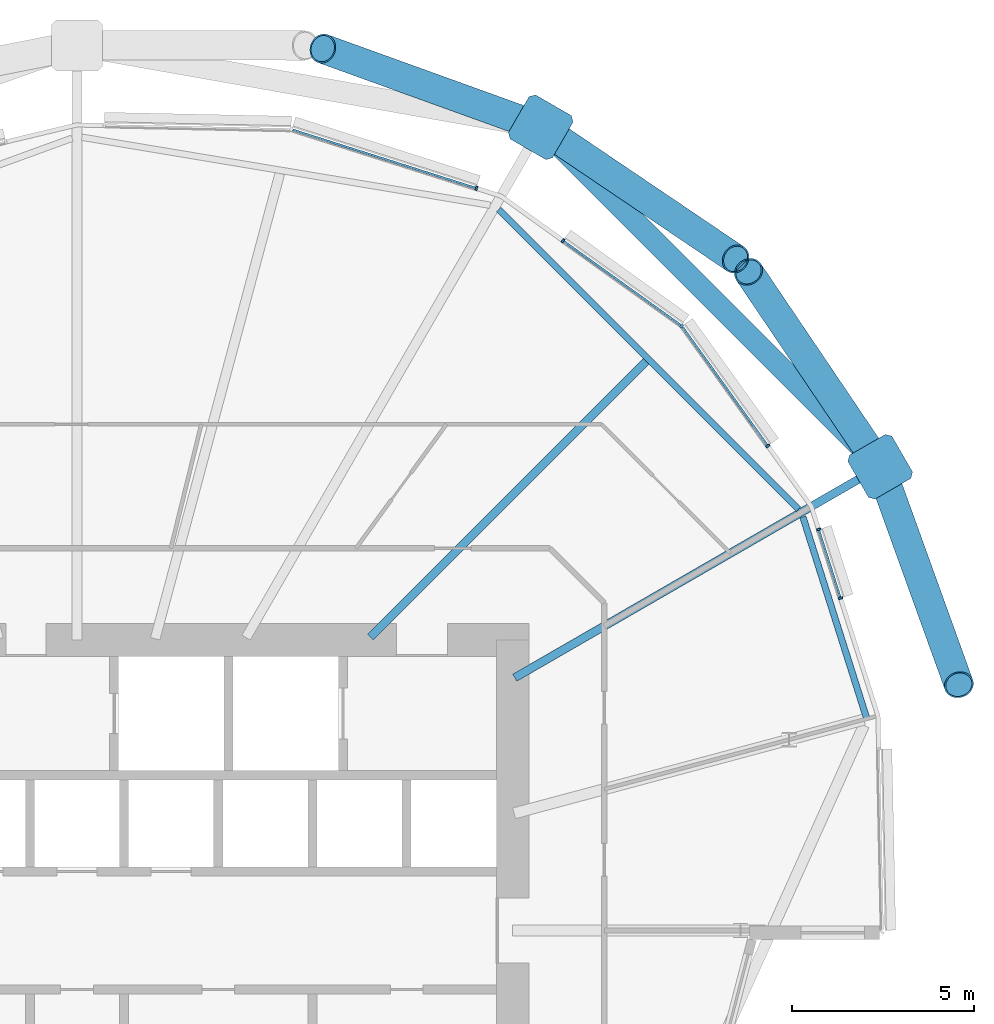
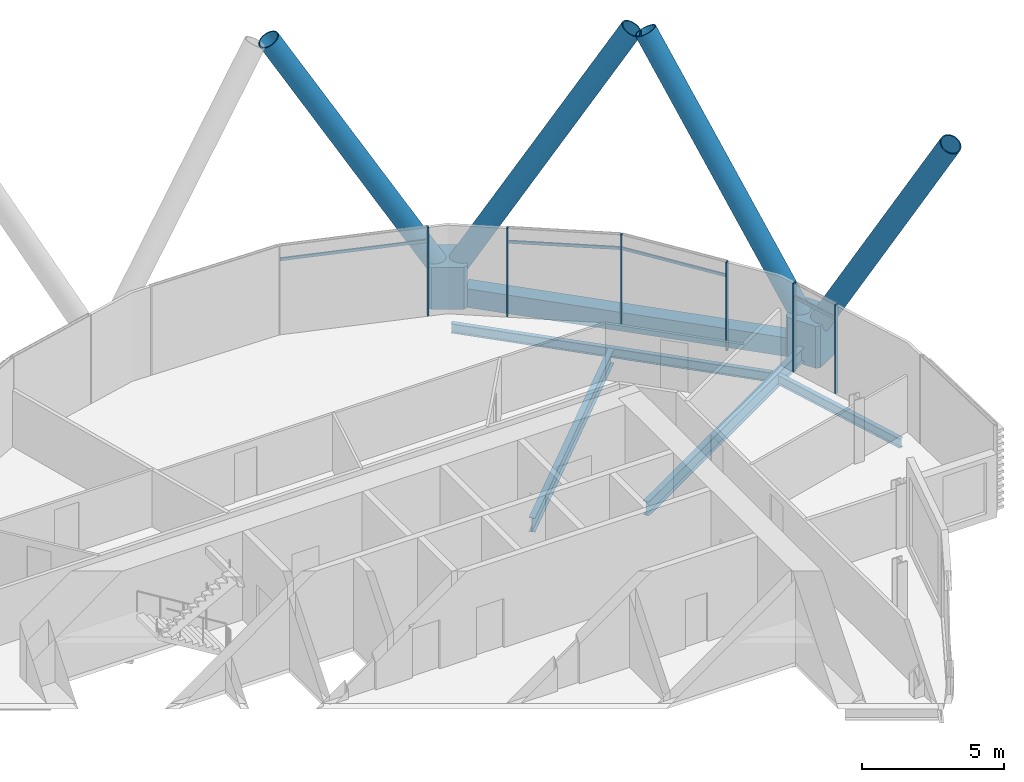
# One storey, part 18 of 36: 16 members, 5 beams, 1 element without a shape of its own.
"""IFC4 building model written with IfcOpenShell, lengths in metres."""

from ifc_helpers import new_model, si_unit, direction, frame, origin, origin_2d, place, context, subcontext, project, spatial, polyline, rectangle, hollow_rectangle, hollow_circle, i_section, outline, extrude, material, material_profile, profile_set, type_object, element, aggregate, save


model = new_model("IFC4")

# Units and contexts
model_context = context("Model", 3, precision=1e-05, world=origin(), true_north=direction((0.0, 1.0)))
body_context = subcontext(model_context, "Body", "Model", "MODEL_VIEW")
ifc_project = project(units=[si_unit("LENGTHUNIT", "METRE"), si_unit("AREAUNIT", "SQUARE_METRE"), si_unit("VOLUMEUNIT", "CUBIC_METRE"), si_unit("PLANEANGLEUNIT", "RADIAN"), si_unit("MASSUNIT", "GRAM", prefix="KILO")], contexts=[model_context])

# Site, building, storey
site_placement = place(None, origin())
site = spatial("IfcSite", under=ifc_project, at=site_placement, CompositionType="ELEMENT")
building_placement = place(site_placement, origin())
building = spatial("IfcBuilding", under=site, at=building_placement, Name="Rimbun Link Towers", CompositionType="ELEMENT")
storey_placement = place(building_placement, frame((0.0, 0.0, 64.199951171875)))
storey = spatial("IfcBuildingStorey", under=building, at=storey_placement, Name="L15", CompositionType="ELEMENT", Elevation=64.199951171875)

# Curtain wall, members
ifc_material_1 = material(Name="Aluminium 6063-T6 and low-iron glass", Category="aluminium")
curtain_wall_type = type_object("IfcCurtainWallType", Name="CW1 unitised vision wall", PredefinedType="NOTDEFINED", material=ifc_material_1)
curtain_wall_placement = place(storey_placement, origin())
curtain_wall = element("IfcCurtainWall", 1, at=curtain_wall_placement, inside=storey, type_object=curtain_wall_type, Name="CW1 L15 T2", PredefinedType="NOTDEFINED")
ifc_material_2 = material(Name="Aluminium 6063-T6", Category="aluminium")
ifc_material_profile_1 = material_profile(ifc_material_2, rectangle(XDim=0.1201171875, YDim=0.06005859375, at=origin_2d()), Name="MULLION 60X120")
ifc_profile_set_1 = profile_set([ifc_material_profile_1], Name="Aluminium 6063-T6")
member_type_1 = type_object("IfcMemberType", Name="CW1 mullion 60X120", PredefinedType="MULLION", material=ifc_profile_set_1)
member_1_placement = place(storey_placement, frame((45.139404296875, 19.0, 0.0), z_axis=(0.0, 0.0, 1.0), x_axis=(0.583001588402, 0.812471013588, 0.0)))
member_1 = element("IfcMember", 2, at=member_1_placement, type_object=member_type_1, Name="CW1 mullion", PredefinedType="MULLION", context=body_context, shape_type="SweptSolid", body=[
    extrude(rectangle(XDim=0.1201171875, YDim=0.06005859375, at=origin_2d()), origin(), (0.0, 0.0, 1.0), 3.800048828125),
])
member_2_placement = place(storey_placement, frame((48.405517578125, 16.655517578125, 0.0), z_axis=(0.0, 0.0, 1.0), x_axis=(0.707106781187, 0.707106781187, 0.0)))
member_2 = element("IfcMember", 3, at=member_2_placement, type_object=member_type_1, Name="CW1 mullion", PredefinedType="MULLION", context=body_context, shape_type="SweptSolid", body=[
    extrude(rectangle(XDim=0.1201171875, YDim=0.06005859375, at=origin_2d()), origin(), (0.0, 0.0, 1.0), 3.800048828125),
])
member_3_placement = place(storey_placement, frame((42.74951171875, 20.44482421875, 0.0), z_axis=(0.0, 0.0, 1.0), x_axis=(0.30306620433, 0.952969504125, 0.0)))
member_3 = element("IfcMember", 4, at=member_3_placement, type_object=member_type_1, Name="CW1 mullion", PredefinedType="MULLION", context=body_context, shape_type="SweptSolid", body=[
    extrude(rectangle(XDim=0.1201171875, YDim=0.06005859375, at=origin_2d()), origin(), (0.0, 0.0, 1.0), 3.800048828125),
])
member_4_placement = place(storey_placement, frame((52.1796875, 11.047119140625, 0.0), z_axis=(0.0, 0.0, 1.0), x_axis=(0.952969504125, 0.30306620433, 0.0)))
member_4 = element("IfcMember", 5, at=member_4_placement, type_object=member_type_1, Name="CW1 mullion", PredefinedType="MULLION", context=body_context, shape_type="SweptSolid", body=[
    extrude(rectangle(XDim=0.1201171875, YDim=0.06005859375, at=origin_2d()), origin(), (0.0, 0.0, 1.0), 3.800048828125),
])
member_5_placement = place(storey_placement, frame((52.781494140625, 9.154541015625, 0.0), z_axis=(0.0, 0.0, 1.0), x_axis=(0.952969504125, 0.30306620433, 0.0)))
member_5 = element("IfcMember", 6, at=member_5_placement, type_object=member_type_1, Name="CW1 mullion", PredefinedType="MULLION", context=body_context, shape_type="SweptSolid", body=[
    extrude(rectangle(XDim=0.1201171875, YDim=0.06005859375, at=origin_2d()), origin(), (0.0, 0.0, 1.0), 3.800048828125),
])
member_6_placement = place(storey_placement, frame((50.779052734375, 13.348876953125, 0.0), z_axis=(0.0, 0.0, 1.0), x_axis=(0.812471013588, 0.583001588402, 0.0)))
member_6 = element("IfcMember", 7, at=member_6_placement, type_object=member_type_1, Name="CW1 mullion", PredefinedType="MULLION", context=body_context, shape_type="SweptSolid", body=[
    extrude(rectangle(XDim=0.1201171875, YDim=0.06005859375, at=origin_2d()), origin(), (0.0, 0.0, 1.0), 3.800048828125),
])
ifc_material_3 = material(Name="Aluminium 6063-T6", Category="aluminium")
ifc_material_profile_2 = material_profile(ifc_material_3, rectangle(XDim=0.06005859375, YDim=0.1201171875, at=origin_2d()), Name="TRANSOM 60X120")
ifc_profile_set_2 = profile_set([ifc_material_profile_2], Name="Aluminium 6063-T6")
member_type_2 = type_object("IfcMemberType", Name="CW1 transom 60X120", PredefinedType="USERDEFINED", material=ifc_profile_set_2)
member_7_placement = place(storey_placement, frame((45.16259765625, 18.980712890625, 3.199951171875), z_axis=(0.812516616043, -0.582938031574, 0.0), x_axis=(0.582938031574, 0.812516616043, 0.0)))
member_7 = element("IfcMember", 8, at=member_7_placement, type_object=member_type_2, Name="CW1 transom", ObjectType="TRANSOM", PredefinedType="USERDEFINED", context=body_context, shape_type="SweptSolid", body=[
    extrude(rectangle(XDim=0.06005859375, YDim=0.1201171875, at=origin_2d()), origin(), (0.0, 0.0, 1.0), 3.95068359375),
])
member_8_placement = place(storey_placement, frame((37.6923828125, 22.051025390625, 3.199951171875), z_axis=(0.952961021475, -0.303092876112, 0.0), x_axis=(0.303092876112, 0.952961021475, 0.0)))
member_8 = element("IfcMember", 9, at=member_8_placement, type_object=member_type_2, Name="CW1 transom", ObjectType="TRANSOM", PredefinedType="USERDEFINED", context=body_context, shape_type="SweptSolid", body=[
    extrude(rectangle(XDim=0.06005859375, YDim=0.1201171875, at=origin_2d()), origin(), (0.0, 0.0, 1.0), 5.276123046875),
])
member_9_placement = place(storey_placement, frame((52.186767578125, 11.017822265625, 3.199951171875), z_axis=(0.303078085865, -0.952965725443, 0.0), x_axis=(0.952965725443, 0.303078085865, 0.0)))
member_9 = element("IfcMember", 10, at=member_9_placement, type_object=member_type_2, Name="CW1 transom", ObjectType="TRANSOM", PredefinedType="USERDEFINED", context=body_context, shape_type="SweptSolid", body=[
    extrude(rectangle(XDim=0.06005859375, YDim=0.1201171875, at=origin_2d()), origin(), (0.0, 0.0, 1.0), 1.926025390625),
])
member_10_placement = place(storey_placement, frame((48.427734375, 16.62255859375, 3.199951171875), z_axis=(0.582974439598, -0.81249049396, 0.0), x_axis=(0.81249049396, 0.582974439598, 0.0)))
member_10 = element("IfcMember", 11, at=member_10_placement, type_object=member_type_2, Name="CW1 transom", ObjectType="TRANSOM", PredefinedType="USERDEFINED", context=body_context, shape_type="SweptSolid", body=[
    extrude(rectangle(XDim=0.06005859375, YDim=0.1201171875, at=origin_2d()), origin(), (0.0, 0.0, 1.0), 4.000732421875),
])
aggregate(curtain_wall, [member_1, member_2, member_3, member_4, member_5, member_6, member_7, member_8, member_9, member_10])

# Members
ifc_material_4 = material(Name="Steel S460NH", Category="steel")
ifc_material_profile_3 = material_profile(ifc_material_4, hollow_circle(Radius=0.406494140625, WallThickness=0.0400390625, at=origin_2d()), Name="Diagrid diagonal CHS 813x40")
ifc_profile_set_3 = profile_set([ifc_material_profile_3], Name="Steel S460NH")
member_type_3 = type_object("IfcMemberType", Name="Diagrid diagonal CHS 813x40", PredefinedType="BRACE", material=ifc_profile_set_3)
member_11_placement = place(storey_placement, frame((44.73388671875, 21.981689453125, 0.4306640625), z_axis=(0.421463256408, -0.284758454959, 0.860976971717), x_axis=(0.559838493111, 0.828601750922, 0.0)))
element("IfcMember", 12, at=member_11_placement, inside=storey, type_object=member_type_3, Name="Diagrid diagonal T2 L15-L18 01a", PredefinedType="BRACE", context=body_context, shape_type="SweptSolid", body=[
    extrude(hollow_circle(Radius=0.406494140625, WallThickness=0.0400390625, at=origin_2d()), origin(), (0.0, 0.0, 1.0), 12.240478515625),
])
for number, where, z_axis, x_axis, name in (
    (13, (44.28662109375, 22.20947265625, 0.43212890625), (-0.473176203335, 0.170749579279, 0.864262033051), (-0.339434119337, -0.940629830821, 0.0), "Diagrid diagonal T2 L15-L18 01b"),
    (14, (53.95947265625, 12.53662109375, 0.43212890625), (0.170749579279, -0.473176203335, 0.864262033051), (0.940629830821, 0.339434119337, 0.0), "Diagrid diagonal T2 L15-L18 23a"),
):
    element("IfcMember", number, at=place(storey_placement, frame(where, z_axis=z_axis, x_axis=x_axis)), inside=storey, type_object=member_type_3, Name=name, PredefinedType="BRACE", context=body_context, shape_type="SweptSolid", body=[
        extrude(hollow_circle(Radius=0.406494140625, WallThickness=0.0400390625, at=origin_2d()), origin(), (0.0, 0.0, 1.0), 12.190673828125),
    ])
member_12_placement = place(storey_placement, frame((53.731689453125, 12.98388671875, 0.4306640625), z_axis=(-0.284758454959, 0.421463256408, 0.860976971717), x_axis=(-0.828601750922, -0.559838493111, 0.0)))
element("IfcMember", 15, at=member_12_placement, inside=storey, type_object=member_type_3, Name="Diagrid diagonal T2 L15-L18 23b", PredefinedType="BRACE", context=body_context, shape_type="SweptSolid", body=[
    extrude(hollow_circle(Radius=0.406494140625, WallThickness=0.0400390625, at=origin_2d()), origin(), (0.0, 0.0, 1.0), 12.240478515625),
])
ifc_material_5 = material(Name="Cast steel G20Mn5+QT, Rp0.2 300 MPa", Category="steel")
ifc_material_profile_4 = material_profile(ifc_material_5, outline(polyline([(0.699951171875, -0.570068359375), (0.699951171875, 0.570068359375), (0.570068359375, 0.699951171875), (-0.570068359375, 0.699951171875), (-0.699951171875, 0.570068359375), (-0.699951171875, -0.570068359375), (-0.570068359375, -0.699951171875), (0.570068359375, -0.699951171875), (0.699951171875, -0.570068359375)])), Name="NODE 1400x1400")
ifc_profile_set_4 = profile_set([ifc_material_profile_4], Name="Cast steel G20Mn5+QT, Rp0.2 300 MPa")
member_type_4 = type_object("IfcMemberType", Name="Diagrid node cast 1400", PredefinedType="USERDEFINED", material=ifc_profile_set_4)
for number, where, z_axis, x_axis, name in (
    (16, (44.523193359375, 22.1240234375, -0.89990234375), (0.0, 0.0, 1.0), (0.5, 0.866025403784, 0.0), "Diagrid node L15 01"),
    (17, (53.8740234375, 12.773193359375, -0.89990234375), (0.0, 0.0, 1.0), (0.866025403784, 0.5, 0.0), "Diagrid node L15 23"),
):
    element("IfcMember", number, at=place(storey_placement, frame(where, z_axis=z_axis, x_axis=x_axis)), inside=storey, type_object=member_type_4, Name=name, ObjectType="Diagrid node", PredefinedType="USERDEFINED", context=body_context, shape_type="SweptSolid", body=[
        extrude(outline(polyline([(0.699951171875, -0.570068359375), (0.699951171875, 0.570068359375), (0.570068359375, 0.699951171875), (-0.570068359375, 0.699951171875), (-0.699951171875, 0.570068359375), (-0.699951171875, -0.570068359375), (-0.570068359375, -0.699951171875), (0.570068359375, -0.699951171875), (0.699951171875, -0.570068359375)])), origin(), (0.0, 0.0, 1.0), 1.800048828125),
    ])

# Beams
ifc_material_6 = material(Name="Steel S355J2", Category="steel")
ifc_material_profile_5 = material_profile(ifc_material_6, hollow_rectangle(XDim=0.60009765625, YDim=0.800048828125, WallThickness=0.0400390625, at=origin_2d()), Name="Exoskeleton ring girder BOX 600x800x40")
ifc_profile_set_5 = profile_set([ifc_material_profile_5], Name="Steel S355J2")
beam_type_1 = type_object("IfcBeamType", Name="Exoskeleton ring girder BOX 600x800x40", PredefinedType="BEAM", material=ifc_profile_set_5)
beam_1_placement = place(storey_placement, frame((53.37890625, 13.268310546875, -0.56005859375), z_axis=(-0.707106781187, 0.707106781187, 0.0), x_axis=(-0.707106781187, -0.707106781187, 0.0)))
element("IfcBeam", 18, at=beam_1_placement, inside=storey, type_object=beam_type_1, Name="Exoskeleton ring girder L15 08", PredefinedType="BEAM", context=body_context, shape_type="SweptSolid", body=[
    extrude(hollow_rectangle(XDim=0.60009765625, YDim=0.800048828125, WallThickness=0.0400390625, at=origin_2d()), origin(), (0.0, 0.0, 1.0), 11.82373046875),
])
ifc_material_7 = material(Name="Steel S355J2", Category="steel")
ifc_material_profile_6 = material_profile(ifc_material_7, i_section(OverallWidth=0.177978515625, OverallDepth=0.406494140625, WebThickness=0.0078125, FlangeThickness=0.0126953125, at=origin_2d()), Name="UB 406x178x60")
ifc_profile_set_6 = profile_set([ifc_material_profile_6], Name="Steel S355J2")
beam_type_2 = type_object("IfcBeamType", Name="UB 406x178x60", PredefinedType="BEAM", material=ifc_profile_set_6)
beam_2_placement = place(storey_placement, frame((53.505859375, 5.83056640625, -0.363037109375), z_axis=(-0.301910730776, 0.953336200216, 0.0), x_axis=(-0.953336200216, -0.301910730776, 0.0)))
element("IfcBeam", 19, at=beam_2_placement, inside=storey, type_object=beam_type_2, Name="Edge beam T2 L15 22", PredefinedType="BEAM", context=body_context, shape_type="SweptSolid", body=[
    extrude(i_section(OverallWidth=0.177978515625, OverallDepth=0.406494140625, WebThickness=0.0078125, FlangeThickness=0.0126953125, at=origin_2d()), origin(), (0.0, 0.0, 1.0), 5.831298828125),
])
beam_3_placement = place(storey_placement, frame((51.619873046875, 11.6044921875, -0.363037109375), z_axis=(-0.707117242352, 0.707096319866, 0.0), x_axis=(-0.707096319866, -0.707117242352, 0.0)))
element("IfcBeam", 20, at=beam_3_placement, inside=storey, type_object=beam_type_2, Name="Edge beam T2 L15 23-01", PredefinedType="BEAM", context=body_context, shape_type="SweptSolid", body=[
    extrude(i_section(OverallWidth=0.177978515625, OverallDepth=0.406494140625, WebThickness=0.0078125, FlangeThickness=0.0126953125, at=origin_2d()), origin(), (0.0, 0.0, 1.0), 11.668701171875),
])
ifc_material_8 = material(Name="Steel S355J2", Category="steel")
ifc_material_profile_7 = material_profile(ifc_material_8, i_section(OverallWidth=0.2275390625, OverallDepth=0.6025390625, WebThickness=0.010498046875, FlangeThickness=0.014892578125, at=origin_2d()), Name="UB 610x229x101")
ifc_profile_set_7 = profile_set([ifc_material_profile_7], Name="Steel S355J2")
beam_type_3 = type_object("IfcBeamType", Name="UB 610x229x101", PredefinedType="BEAM", material=ifc_profile_set_7)
beam_4_placement = place(storey_placement, frame((39.831298828125, 8.081298828125, -0.461181640625), z_axis=(0.707106781187, 0.707106781187, 0.0), x_axis=(-0.707106781187, 0.707106781187, 0.0)))
element("IfcBeam", 21, at=beam_4_placement, inside=storey, type_object=beam_type_3, Name="Radial beam T2 L15 00", PredefinedType="BEAM", context=body_context, shape_type="SweptSolid", body=[
    extrude(i_section(OverallWidth=0.2275390625, OverallDepth=0.6025390625, WebThickness=0.010498046875, FlangeThickness=0.014892578125, at=origin_2d()), origin(), (0.0, 0.0, 1.0), 10.737060546875),
])
beam_5_placement = place(storey_placement, frame((43.807861328125, 6.961669921875, -0.461181640625), z_axis=(0.866030246746, 0.49999161165, 0.0), x_axis=(-0.49999161165, 0.866030246746, 0.0)))
element("IfcBeam", 22, at=beam_5_placement, inside=storey, type_object=beam_type_3, Name="Radial beam T2 L15 23", PredefinedType="BEAM", context=body_context, shape_type="SweptSolid", body=[
    extrude(i_section(OverallWidth=0.2275390625, OverallDepth=0.6025390625, WebThickness=0.010498046875, FlangeThickness=0.014892578125, at=origin_2d()), origin(), (0.0, 0.0, 1.0), 11.123291015625),
])

save(model, "model.ifc")
